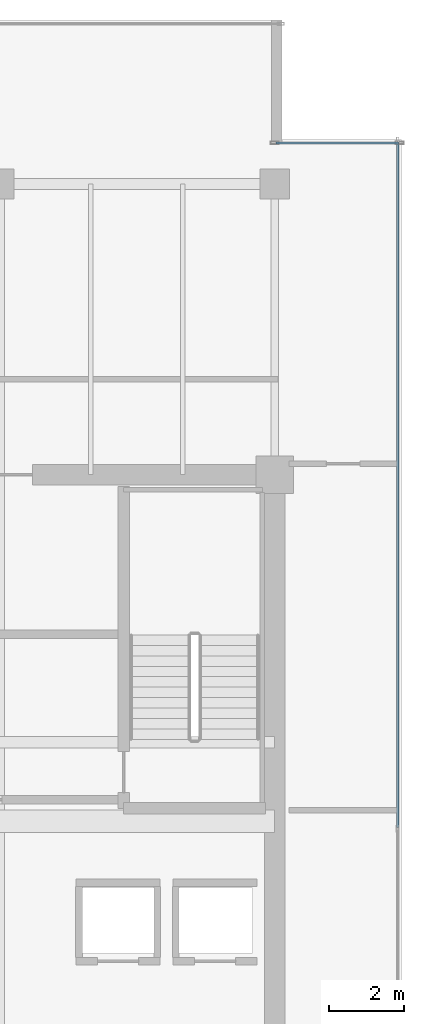
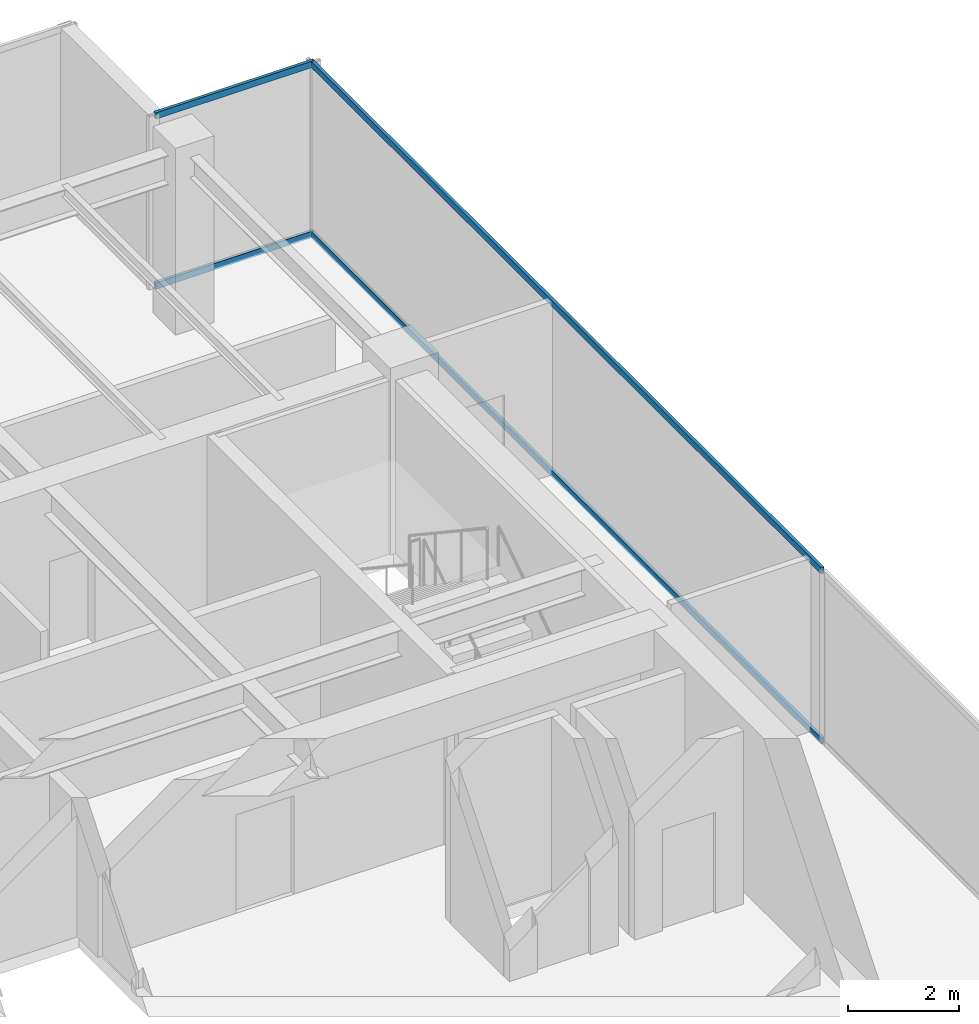
# One storey, part 25 of 33: 4 members, 2 elements without a shape of their own.
"""IFC4 building model written with IfcOpenShell, lengths in metres."""

from ifc_helpers import new_model, si_unit, direction, frame, origin, origin_2d, place, context, subcontext, project, spatial, hollow_rectangle, extrude, source, transform, mapped, material, layer, layer_set, material_profile, profile_set, type_object, type_shapes, element, aggregate, save


model = new_model("IFC4")

# Units and contexts
model_context = context("Model", 3, precision=1e-05, world=origin(), true_north=direction((0.0, 1.0)))
body_context = subcontext(model_context, "Body", "Model", "MODEL_VIEW")
ifc_project = project(units=[si_unit("LENGTHUNIT", "METRE"), si_unit("AREAUNIT", "SQUARE_METRE"), si_unit("VOLUMEUNIT", "CUBIC_METRE"), si_unit("PLANEANGLEUNIT", "RADIAN"), si_unit("MASSUNIT", "GRAM", prefix="KILO")], contexts=[model_context])

# Site, building, storey
site_placement = place(None, origin())
site = spatial("IfcSite", under=ifc_project, at=site_placement, CompositionType="ELEMENT")
building_placement = place(site_placement, origin())
building = spatial("IfcBuilding", under=site, at=building_placement, Name="Haelvirn Gate Laboratories", CompositionType="ELEMENT")
storey_placement = place(building_placement, frame((0.0, 0.0, 250.60009765625)))
storey = spatial("IfcBuildingStorey", under=building, at=storey_placement, Name="L60", CompositionType="ELEMENT", Elevation=250.60009765625)

# Curtain wall, members
ifc_material_1 = material(Name="Anodised bronze unitised aluminium & triple low-E glass", Category="aluminium")
ifc_layer_1 = layer(ifc_material_1, 0.181884765625, Name="CW-SYS-5")
ifc_layer_set_1 = layer_set([ifc_layer_1], Name="Anodised bronze unitised aluminium & triple low-E glass")
curtain_wall_type_1 = type_object("IfcCurtainWallType", Name="CW-SYS-5", PredefinedType="NOTDEFINED", material=ifc_layer_set_1)
curtain_wall_1_placement = place(storey_placement, origin())
curtain_wall_1 = element("IfcCurtainWall", 1, at=curtain_wall_1_placement, inside=storey, type_object=curtain_wall_type_1, Name="L60 Unitised Curtain Wall CW-L60-P0-E08-1", PredefinedType="NOTDEFINED")
ifc_material_2 = material(Name="Extruded aluminium 6063-T6 (anodised bronze)", Category="aluminium")
ifc_material_profile = material_profile(ifc_material_2, hollow_rectangle(XDim=0.06494140625, YDim=0.139892578125, WallThickness=0.00390625, at=origin_2d()), Name="CWT-140x65x4")
ifc_profile_set = profile_set([ifc_material_profile], Name="Extruded aluminium 6063-T6 (anodised bronze)")
member_type = type_object("IfcMemberType", Name="CWT-T140", PredefinedType="USERDEFINED", material=ifc_profile_set)
shared_shape_1 = source(origin(), body_context, "Body", "SweptSolid", [
    extrude(hollow_rectangle(XDim=0.06494140625, YDim=0.139892578125, WallThickness=0.00390625, at=origin_2d()), origin(), (0.0, 0.0, 1.0), 3.280029296875),
])
member_1_placement = place(storey_placement, frame((67.43994140625, 42.699951171875, 0.032470703125), z_axis=(1.0, 0.0, 0.0), x_axis=(0.0, 1.0, 0.0)))
member_1 = element("IfcMember", 2, at=member_1_placement, type_object=member_type, Name="CW5 transom 1.1", ObjectType="TRANSOM", PredefinedType="USERDEFINED", context=body_context, shape_type="MappedRepresentation", body=[
    mapped(shared_shape_1, transform((0.0, 0.0, 0.0), scale=1.0)),
])
member_2_placement = place(storey_placement, frame((67.43994140625, 42.699951171875, 3.767333984375), z_axis=(1.0, 0.0, 0.0), x_axis=(0.0, 1.0, 0.0)))
member_2 = element("IfcMember", 3, at=member_2_placement, type_object=member_type, Name="CW5 transom 1.2", ObjectType="TRANSOM", PredefinedType="USERDEFINED", context=body_context, shape_type="MappedRepresentation", body=[
    mapped(shared_shape_1, transform((0.0, 0.0, 0.0), scale=1.0)),
])
aggregate(curtain_wall_1, [member_1, member_2])

ifc_layer_2 = layer(ifc_material_1, 0.176025390625, Name="CW-SYS-4")
ifc_layer_set_2 = layer_set([ifc_layer_2], Name="Anodised bronze unitised aluminium & triple low-E glass")
curtain_wall_type_2 = type_object("IfcCurtainWallType", Name="CW-SYS-4", PredefinedType="NOTDEFINED", material=ifc_layer_set_2)
curtain_wall_2_placement = place(storey_placement, origin())
curtain_wall_2 = element("IfcCurtainWall", 4, at=curtain_wall_2_placement, inside=storey, type_object=curtain_wall_type_2, Name="L60 Unitised Curtain Wall CW-L60-P0-E07", PredefinedType="NOTDEFINED")
shared_shape_2 = source(origin(), body_context, "Body", "SweptSolid", [
    extrude(hollow_rectangle(XDim=0.06494140625, YDim=0.139892578125, WallThickness=0.00390625, at=origin_2d()), origin(), (0.0, 0.0, 1.0), 18.39501953125),
])
type_shapes(member_type, [shared_shape_1, shared_shape_2])
member_3_placement = place(storey_placement, frame((70.699951171875, 24.3349609375, 0.032470703125), z_axis=(0.0, 1.0, 0.0), x_axis=(-1.0, 0.0, 0.0)))
member_3 = element("IfcMember", 5, at=member_3_placement, type_object=member_type, Name="CW4 transom 2.1", ObjectType="TRANSOM", PredefinedType="USERDEFINED", context=body_context, shape_type="MappedRepresentation", body=[
    mapped(shared_shape_2, transform((0.0, 0.0, 0.0), scale=1.0)),
])
member_4_placement = place(storey_placement, frame((70.699951171875, 24.3349609375, 3.767333984375), z_axis=(0.0, 1.0, 0.0), x_axis=(-1.0, 0.0, 0.0)))
member_4 = element("IfcMember", 6, at=member_4_placement, type_object=member_type, Name="CW4 transom 2.2", ObjectType="TRANSOM", PredefinedType="USERDEFINED", context=body_context, shape_type="MappedRepresentation", body=[
    mapped(shared_shape_2, transform((0.0, 0.0, 0.0), scale=1.0)),
])
aggregate(curtain_wall_2, [member_3, member_4])

save(model, "model.ifc")
